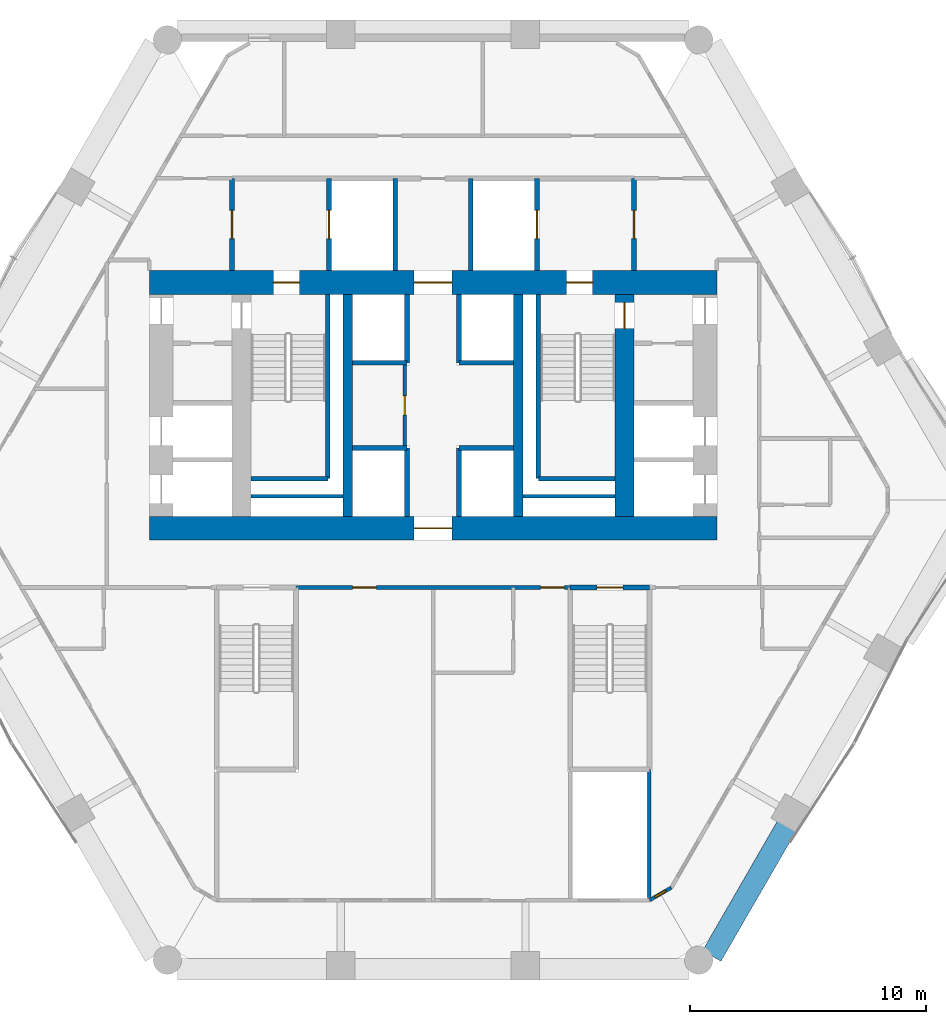
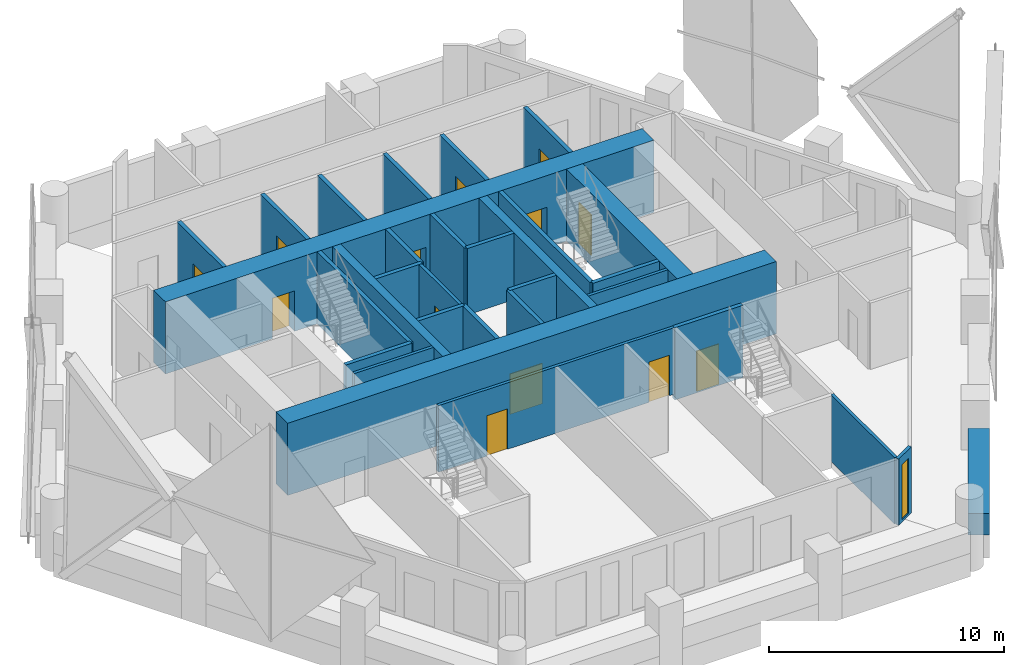
# One storey, part 11 of 16: 31 walls, 13 doors, 1 window, 14 openings.
"""IFC4 building model written with IfcOpenShell, lengths in metres."""

from ifc_helpers import new_model, si_unit, direction, frame, frame_2d, origin, place, context, subcontext, project, spatial, rectangle, extrude, material, layer, layer_set, type_object, element, fill, save


model = new_model("IFC4")

# Units and contexts
model_context = context("Model", 3, precision=1e-05, world=origin(), true_north=direction((0.0, 1.0)))
body_context = subcontext(model_context, "Body", "Model", "MODEL_VIEW")
ifc_project = project(units=[si_unit("LENGTHUNIT", "METRE"), si_unit("AREAUNIT", "SQUARE_METRE"), si_unit("VOLUMEUNIT", "CUBIC_METRE"), si_unit("PLANEANGLEUNIT", "RADIAN"), si_unit("MASSUNIT", "GRAM", prefix="KILO")], contexts=[model_context])

# Site, building, storey
site_placement = place(None, origin())
site = spatial("IfcSite", under=ifc_project, at=site_placement, CompositionType="ELEMENT")
building_placement = place(site_placement, origin())
building = spatial("IfcBuilding", under=site, at=building_placement, Name="Ostrander Bayou Hotel Tower", CompositionType="ELEMENT")
storey_placement = place(building_placement, frame((0.0, 0.0, 85.5)))
storey = spatial("IfcBuildingStorey", under=building, at=storey_placement, Name="L21", CompositionType="ELEMENT", Elevation=85.5)

# Wall, opening, door
ifc_material_1 = material(Name="Concrete f'c 70 MPa", Category="concrete")
ifc_layer_1 = layer(ifc_material_1, 1.0)
ifc_layer_set_1 = layer_set([ifc_layer_1], Name="CW4 core wall 1000 mm f'c 70 MPa")
wall_type_1 = type_object("IfcWallType", Name="CW4 core wall 1000 mm f'c 70 MPa", PredefinedType="SHEAR", material=ifc_layer_set_1)
wall_1_placement = place(storey_placement, frame((-12.0, -1.199951171875, -0.300048828125), z_axis=(0.0, 0.0, 1.0), x_axis=(1.0, 0.0, 0.0)))
wall_1 = element("IfcWall", 1, at=wall_1_placement, inside=storey, type_object=wall_type_1, Name="CW4 L21 S", PredefinedType="SHEAR", context=body_context, shape_type="SweptSolid", body=[
    extrude(rectangle(XDim=24.0, YDim=1.0, at=frame_2d((12.0, 0.0))), origin(), (0.0, 0.0, 1.0), 3.75),
])
opening_1_placement = place(wall_1_placement, frame((11.199951171875, 0.0, 0.0)))
opening_1 = element("IfcOpeningElement", 2, at=opening_1_placement, cuts=wall_1, Name="Opening T21-001", PredefinedType="OPENING", context=body_context, shape_type="SweptSolid", body=[
    extrude(rectangle(XDim=1.60009765625, YDim=2.10009765625, at=frame_2d((0.800048828125, 1.050048828125))), frame((0.0, 0.5, 0.0), z_axis=(0.0, -1.0, 0.0), x_axis=(1.0, 0.0, 0.0)), (0.0, 0.0, 1.0), 1.0),
])
ifc_material_2 = material(Name="Timber door leaf", Category="wood")
door_type_1 = type_object("IfcDoorType", Name="D13 double door 1600 x 2100 mm, 1 hour", OperationType="SINGLE_SWING_LEFT", PredefinedType="DOOR", material=ifc_material_2)
door_1_placement = place(opening_1_placement, origin())
door_1 = element("IfcDoor", 3, at=door_1_placement, inside=storey, type_object=door_type_1, Name="dr:L21:001", OperationType="DOUBLE_DOOR_SINGLE_SWING", OverallHeight=2.10009765625, OverallWidth=1.60009765625, PredefinedType="DOOR", context=body_context, shape_type="SweptSolid", body=[
    extrude(rectangle(XDim=1.60009765625, YDim=2.10009765625, at=frame_2d((0.800048828125, 1.050048828125))), frame((0.0, 0.02490234375, 0.0), z_axis=(0.0, -1.0, 0.0), x_axis=(1.0, 0.0, 0.0)), (0.0, 0.0, 1.0), 0.050048828125),
])
fill(opening_1, door_1)

# Wall, openings, doors
wall_2_placement = place(storey_placement, frame((-12.0, 9.199951171875, -0.300048828125), z_axis=(0.0, 0.0, 1.0), x_axis=(1.0, 0.0, 0.0)))
wall_2 = element("IfcWall", 4, at=wall_2_placement, inside=storey, type_object=wall_type_1, Name="CW4 L21 N", PredefinedType="SHEAR", context=body_context, shape_type="SweptSolid", body=[
    extrude(rectangle(XDim=24.0, YDim=1.0, at=frame_2d((12.0, 0.0))), origin(), (0.0, 0.0, 1.0), 3.75),
])
opening_2_placement = place(wall_2_placement, frame((11.199951171875, 0.0, 0.0)))
opening_2 = element("IfcOpeningElement", 5, at=opening_2_placement, cuts=wall_2, Name="Opening T21-002", PredefinedType="OPENING", context=body_context, shape_type="SweptSolid", body=[
    extrude(rectangle(XDim=1.60009765625, YDim=2.10009765625, at=frame_2d((0.800048828125, 1.050048828125))), frame((0.0, 0.5, 0.0), z_axis=(0.0, -1.0, 0.0), x_axis=(1.0, 0.0, 0.0)), (0.0, 0.0, 1.0), 1.0),
])
opening_3_placement = place(wall_2_placement, frame((5.25, 0.0, 0.0)))
opening_3 = element("IfcOpeningElement", 6, at=opening_3_placement, cuts=wall_2, Name="Opening T21-003", PredefinedType="OPENING", context=body_context, shape_type="SweptSolid", body=[
    extrude(rectangle(XDim=1.10009765625, YDim=2.10009765625, at=frame_2d((0.550048828125, 1.050048828125))), frame((0.0, 0.5, 0.0), z_axis=(0.0, -1.0, 0.0), x_axis=(1.0, 0.0, 0.0)), (0.0, 0.0, 1.0), 1.0),
])
opening_4_placement = place(wall_2_placement, frame((17.64990234375, 0.0, 0.0)))
opening_4 = element("IfcOpeningElement", 7, at=opening_4_placement, cuts=wall_2, Name="Opening T21-005", PredefinedType="OPENING", context=body_context, shape_type="SweptSolid", body=[
    extrude(rectangle(XDim=1.10009765625, YDim=2.10009765625, at=frame_2d((0.550048828125, 1.050048828125))), frame((0.0, 0.5, 0.0), z_axis=(0.0, -1.0, 0.0), x_axis=(1.0, 0.0, 0.0)), (0.0, 0.0, 1.0), 1.0),
])
door_2_placement = place(opening_2_placement, origin())
door_2 = element("IfcDoor", 8, at=door_2_placement, inside=storey, type_object=door_type_1, Name="dr:L21:002", OperationType="DOUBLE_DOOR_SINGLE_SWING", OverallHeight=2.10009765625, OverallWidth=1.60009765625, PredefinedType="DOOR", context=body_context, shape_type="SweptSolid", body=[
    extrude(rectangle(XDim=1.60009765625, YDim=2.10009765625, at=frame_2d((0.800048828125, 1.050048828125))), frame((0.0, 0.02490234375, 0.0), z_axis=(0.0, -1.0, 0.0), x_axis=(1.0, 0.0, 0.0)), (0.0, 0.0, 1.0), 0.050048828125),
])
fill(opening_2, door_2)
ifc_material_3 = material(Name="Timber door leaf", Category="wood")
door_type_2 = type_object("IfcDoorType", Name="D5 stair door 1100 x 2100 mm, 90 minute", OperationType="SINGLE_SWING_LEFT", PredefinedType="DOOR", material=ifc_material_3)
door_3_placement = place(opening_3_placement, origin())
door_3 = element("IfcDoor", 9, at=door_3_placement, inside=storey, type_object=door_type_2, Name="dr:L21:003", OperationType="SINGLE_SWING_LEFT", OverallHeight=2.10009765625, OverallWidth=1.10009765625, PredefinedType="DOOR", context=body_context, shape_type="SweptSolid", body=[
    extrude(rectangle(XDim=1.10009765625, YDim=2.10009765625, at=frame_2d((0.550048828125, 1.050048828125))), frame((0.0, 0.02490234375, 0.0), z_axis=(0.0, -1.0, 0.0), x_axis=(1.0, 0.0, 0.0)), (0.0, 0.0, 1.0), 0.050048828125),
])
fill(opening_3, door_3)
door_4_placement = place(opening_4_placement, origin())
door_4 = element("IfcDoor", 10, at=door_4_placement, inside=storey, type_object=door_type_2, Name="dr:L21:005", OperationType="SINGLE_SWING_RIGHT", OverallHeight=2.10009765625, OverallWidth=1.10009765625, PredefinedType="DOOR", context=body_context, shape_type="SweptSolid", body=[
    extrude(rectangle(XDim=1.10009765625, YDim=2.10009765625, at=frame_2d((0.550048828125, 1.050048828125))), frame((0.0, 0.02490234375, 0.0), z_axis=(0.0, -1.0, 0.0), x_axis=(1.0, 0.0, 0.0)), (0.0, 0.0, 1.0), 0.050048828125),
])
fill(opening_4, door_4)

# Wall, opening, door
ifc_material_4 = material(Name="Concrete f'c 70 MPa", Category="concrete")
ifc_layer_2 = layer(ifc_material_4, 0.800048828125)
ifc_layer_set_2 = layer_set([ifc_layer_2], Name="CW5 core spine wall 800 mm f'c 70 MPa")
wall_type_2 = type_object("IfcWallType", Name="CW5 core spine wall 800 mm f'c 70 MPa", PredefinedType="SHEAR", material=ifc_layer_set_2)
wall_3_placement = place(storey_placement, frame((8.10009765625, -0.699951171875, -0.300048828125), z_axis=(0.0, 0.0, 1.0), x_axis=(0.0, 1.0, 0.0)))
wall_3 = element("IfcWall", 11, at=wall_3_placement, inside=storey, type_object=wall_type_2, Name="CW5 L21 E", PredefinedType="SHEAR", context=body_context, shape_type="SweptSolid", body=[
    extrude(rectangle(XDim=9.39990234375, YDim=0.800048828125, at=frame_2d((4.699951171875, 0.0))), origin(), (0.0, 0.0, 1.0), 3.75),
])
opening_5_placement = place(wall_3_placement, frame((7.949951171875, 0.0, 0.0)))
opening_5 = element("IfcOpeningElement", 12, at=opening_5_placement, cuts=wall_3, Name="Opening T21-006", PredefinedType="OPENING", context=body_context, shape_type="SweptSolid", body=[
    extrude(rectangle(XDim=1.10009765625, YDim=2.10009765625, at=frame_2d((0.550048828125, 1.050048828125))), frame((0.0, 0.39990234375, 0.0), z_axis=(0.0, -1.0, 0.0), x_axis=(1.0, 0.0, 0.0)), (0.0, 0.0, 1.0), 0.800048828125),
])
door_5_placement = place(opening_5_placement, origin())
door_5 = element("IfcDoor", 13, at=door_5_placement, inside=storey, type_object=door_type_2, Name="dr:L21:006", OperationType="SINGLE_SWING_LEFT", OverallHeight=2.10009765625, OverallWidth=1.10009765625, PredefinedType="DOOR", context=body_context, shape_type="SweptSolid", body=[
    extrude(rectangle(XDim=1.10009765625, YDim=2.10009765625, at=frame_2d((0.550048828125, 1.050048828125))), frame((0.0, 0.02490234375, 0.0), z_axis=(0.0, -1.0, 0.0), x_axis=(1.0, 0.0, 0.0)), (0.0, 0.0, 1.0), 0.050048828125),
])
fill(opening_5, door_5)

# Walls
ifc_material_5 = material(Name="Concrete f'c 70 MPa", Category="concrete")
ifc_layer_3 = layer(ifc_material_5, 0.39990234375)
ifc_layer_set_3 = layer_set([ifc_layer_3], Name="CW6 core bank wall 400 mm f'c 70 MPa")
wall_type_3 = type_object("IfcWallType", Name="CW6 core bank wall 400 mm f'c 70 MPa", PredefinedType="SHEAR", material=ifc_layer_set_3)
for number, where, z_axis, x_axis, name in (
    (14, (-3.60009765625, -0.699951171875, -0.300048828125), (0.0, 0.0, 1.0), (0.0, 1.0, 0.0), "CW6 L21 CW"),
    (15, (3.60009765625, -0.699951171875, -0.300048828125), (0.0, 0.0, 1.0), (0.0, 1.0, 0.0), "CW6 L21 CE"),
):
    element("IfcWall", number, at=place(storey_placement, frame(where, z_axis=z_axis, x_axis=x_axis)), inside=storey, type_object=wall_type_3, Name=name, PredefinedType="SHEAR", context=body_context, shape_type="SweptSolid", body=[
        extrude(rectangle(XDim=9.39990234375, YDim=0.39990234375, at=frame_2d((4.699951171875, 0.0))), origin(), (0.0, 0.0, 1.0), 3.75),
    ])

# Wall, opening, window
ifc_material_6 = material(Name="Aluminium framed insulated wall", Category="aluminium")
ifc_layer_4 = layer(ifc_material_6, 0.14990234375)
ifc_layer_set_4 = layer_set([ifc_layer_4], Name="GW1 glass-line wall 150 mm")
wall_type_4 = type_object("IfcWallType", Name="GW1 glass-line wall 150 mm", PredefinedType="SOLIDWALL", material=ifc_layer_set_4)
wall_4_placement = place(storey_placement, frame((9.15673828125, -16.925048828125, 0.0), z_axis=(0.0, 0.0, 1.0), x_axis=(0.866048165231, 0.499960573946, 0.0)))
wall_4 = element("IfcWall", 16, at=wall_4_placement, inside=storey, type_object=wall_type_4, Name="GW1 L21 corner 4", PredefinedType="SOLIDWALL", context=body_context, shape_type="SweptSolid", body=[
    extrude(rectangle(XDim=1.06494140625, YDim=0.14990234375, at=frame_2d((0.532470703125, 0.0))), origin(), (0.0, 0.0, 1.0), 3.449951171875),
])
opening_6_placement = place(wall_4_placement, frame((0.257568359375, 0.0, 0.14990234375)))
opening_6 = element("IfcOpeningElement", 17, at=opening_6_placement, cuts=wall_4, Name="Opening W19", PredefinedType="OPENING", context=body_context, shape_type="SweptSolid", body=[
    extrude(rectangle(XDim=0.550048828125, YDim=2.85009765625, at=frame_2d((0.27490234375, 1.425048828125))), frame((0.0, 0.074951171875, 0.0), z_axis=(0.0, -1.0, 0.0), x_axis=(1.0, 0.0, 0.0)), (0.0, 0.0, 1.0), 0.14990234375),
])
ifc_material_7 = material(Name="Aluminium and clear glass", Category="aluminium")
window_type = type_object("IfcWindowType", Name="W19 corner window 550 mm", PartitioningType="SINGLE_PANEL", PredefinedType="WINDOW", material=ifc_material_7)
window_placement = place(opening_6_placement, origin())
window = element("IfcWindow", 18, at=window_placement, inside=storey, type_object=window_type, Name="W19 L21 corner 4", OverallHeight=2.85009765625, OverallWidth=0.550048828125, PartitioningType="SINGLE_PANEL", PredefinedType="WINDOW", context=body_context, shape_type="SweptSolid", body=[
    extrude(rectangle(XDim=0.550048828125, YDim=2.85009765625, at=frame_2d((0.27490234375, 1.425048828125))), frame((0.0, 0.030029296875, 0.0), z_axis=(0.0, -1.0, 0.0), x_axis=(1.0, 0.0, 0.0)), (0.0, 0.0, 1.0), 0.06005859375),
])
fill(opening_6, window)

# Wall
ifc_material_8 = material(Name="Limestone masonry", Category="masonry")
ifc_layer_5 = layer(ifc_material_8, 0.89990234375)
ifc_layer_set_5 = layer_set([ifc_layer_5], Name="PA2 limestone parapet 900 mm")
wall_type_5 = type_object("IfcWallType", Name="PA2 limestone parapet 900 mm", PredefinedType="PARAPET", material=ifc_layer_set_5)
wall_5_placement = place(storey_placement, frame((11.785888671875, -19.286376953125, 0.0), z_axis=(0.0, 0.0, 1.0), x_axis=(0.499982754166, 0.866035360443, 0.0)))
element("IfcWall", 19, at=wall_5_placement, inside=storey, type_object=wall_type_5, Name="PA2 L21 SE-1", PredefinedType="PARAPET", context=body_context, shape_type="SweptSolid", body=[
    extrude(rectangle(XDim=6.332763671875, YDim=0.89990234375, at=frame_2d((3.16650390625, 0.0))), origin(), (0.0, 0.0, 1.0), 1.10009765625),
])

# Wall, opening, door
ifc_material_9 = material(Name="Masonry block", Category="masonry")
ifc_layer_6 = layer(ifc_material_9, 0.199951171875)
ifc_layer_set_6 = layer_set([ifc_layer_6], Name="PT5 stair enclosure wall 200 mm masonry, 2 hour")
wall_type_6 = type_object("IfcWallType", Name="PT5 stair enclosure wall 200 mm masonry, 2 hour", PredefinedType="PARTITIONING", material=ifc_layer_set_6)
wall_6_placement = place(storey_placement, frame((-8.5, 9.699951171875, 0.0), z_axis=(0.0, 0.0, 1.0), x_axis=(0.0, 1.0, 0.0)))
wall_6 = element("IfcWall", 20, at=wall_6_placement, inside=storey, type_object=wall_type_6, Name="cs:L21:026", PredefinedType="PARTITIONING", context=body_context, shape_type="SweptSolid", body=[
    extrude(rectangle(XDim=3.900146484375, YDim=0.199951171875, at=frame_2d((1.9501953125, 0.0))), origin(), (0.0, 0.0, 1.0), 3.449951171875),
])
opening_7_placement = place(wall_6_placement, frame((1.35009765625, 0.0, 0.0)))
opening_7 = element("IfcOpeningElement", 21, at=opening_7_placement, cuts=wall_6, Name="Opening T21-010", PredefinedType="OPENING", context=body_context, shape_type="SweptSolid", body=[
    extrude(rectangle(XDim=1.199951171875, YDim=2.10009765625, at=frame_2d((0.60009765625, 1.050048828125))), frame((0.0, 0.10009765625, 0.0), z_axis=(0.0, -1.0, 0.0), x_axis=(1.0, 0.0, 0.0)), (0.0, 0.0, 1.0), 0.199951171875),
])
ifc_material_10 = material(Name="Timber door leaf", Category="wood")
door_type_3 = type_object("IfcDoorType", Name="D7 lobby door 1200 x 2100 mm, 1 hour", OperationType="SINGLE_SWING_LEFT", PredefinedType="DOOR", material=ifc_material_10)
door_6_placement = place(opening_7_placement, origin())
door_6 = element("IfcDoor", 22, at=door_6_placement, inside=storey, type_object=door_type_3, Name="dr:L21:010", OperationType="SINGLE_SWING_LEFT", OverallHeight=2.10009765625, OverallWidth=1.199951171875, PredefinedType="DOOR", context=body_context, shape_type="SweptSolid", body=[
    extrude(rectangle(XDim=1.199951171875, YDim=2.10009765625, at=frame_2d((0.60009765625, 1.050048828125))), frame((0.0, 0.02490234375, 0.0), z_axis=(0.0, -1.0, 0.0), x_axis=(1.0, 0.0, 0.0)), (0.0, 0.0, 1.0), 0.050048828125),
])
fill(opening_7, door_6)

wall_7_placement = place(storey_placement, frame((8.5, 9.699951171875, 0.0), z_axis=(0.0, 0.0, 1.0), x_axis=(0.0, 1.0, 0.0)))
wall_7 = element("IfcWall", 23, at=wall_7_placement, inside=storey, type_object=wall_type_6, Name="cs:L21:027", PredefinedType="PARTITIONING", context=body_context, shape_type="SweptSolid", body=[
    extrude(rectangle(XDim=3.900146484375, YDim=0.199951171875, at=frame_2d((1.9501953125, 0.0))), origin(), (0.0, 0.0, 1.0), 3.449951171875),
])
opening_8_placement = place(wall_7_placement, frame((1.35009765625, 0.0, 0.0)))
opening_8 = element("IfcOpeningElement", 24, at=opening_8_placement, cuts=wall_7, Name="Opening T21-012", PredefinedType="OPENING", context=body_context, shape_type="SweptSolid", body=[
    extrude(rectangle(XDim=1.199951171875, YDim=2.10009765625, at=frame_2d((0.60009765625, 1.050048828125))), frame((0.0, 0.10009765625, 0.0), z_axis=(0.0, -1.0, 0.0), x_axis=(1.0, 0.0, 0.0)), (0.0, 0.0, 1.0), 0.199951171875),
])
door_7_placement = place(opening_8_placement, origin())
door_7 = element("IfcDoor", 25, at=door_7_placement, inside=storey, type_object=door_type_3, Name="dr:L21:012", OperationType="SINGLE_SWING_LEFT", OverallHeight=2.10009765625, OverallWidth=1.199951171875, PredefinedType="DOOR", context=body_context, shape_type="SweptSolid", body=[
    extrude(rectangle(XDim=1.199951171875, YDim=2.10009765625, at=frame_2d((0.60009765625, 1.050048828125))), frame((0.0, 0.02490234375, 0.0), z_axis=(0.0, -1.0, 0.0), x_axis=(1.0, 0.0, 0.0)), (0.0, 0.0, 1.0), 0.050048828125),
])
fill(opening_8, door_7)

wall_8_placement = place(storey_placement, frame((-4.39990234375, 9.699951171875, 0.0), z_axis=(0.0, 0.0, 1.0), x_axis=(0.0, 1.0, 0.0)))
wall_8 = element("IfcWall", 26, at=wall_8_placement, inside=storey, type_object=wall_type_6, Name="cs:L21:028", PredefinedType="PARTITIONING", context=body_context, shape_type="SweptSolid", body=[
    extrude(rectangle(XDim=3.900146484375, YDim=0.199951171875, at=frame_2d((1.9501953125, 0.0))), origin(), (0.0, 0.0, 1.0), 3.449951171875),
])
opening_9_placement = place(wall_8_placement, frame((1.35009765625, 0.0, 0.0)))
opening_9 = element("IfcOpeningElement", 27, at=opening_9_placement, cuts=wall_8, Name="Opening T21-009", PredefinedType="OPENING", context=body_context, shape_type="SweptSolid", body=[
    extrude(rectangle(XDim=1.199951171875, YDim=2.10009765625, at=frame_2d((0.60009765625, 1.050048828125))), frame((0.0, 0.10009765625, 0.0), z_axis=(0.0, -1.0, 0.0), x_axis=(1.0, 0.0, 0.0)), (0.0, 0.0, 1.0), 0.199951171875),
])
ifc_material_11 = material(Name="Stainless steel sliding door", Category="steel")
door_type_4 = type_object("IfcDoorType", Name="LD1 lift landing door 1200 x 2100 mm", OperationType="SINGLE_SWING_LEFT", PredefinedType="DOOR", material=ifc_material_11)
door_8_placement = place(opening_9_placement, origin())
door_8 = element("IfcDoor", 28, at=door_8_placement, inside=storey, type_object=door_type_4, Name="dr:L21:009", OperationType="SLIDING_TO_LEFT", OverallHeight=2.10009765625, OverallWidth=1.199951171875, PredefinedType="DOOR", context=body_context, shape_type="SweptSolid", body=[
    extrude(rectangle(XDim=1.199951171875, YDim=2.10009765625, at=frame_2d((0.60009765625, 1.050048828125))), frame((0.0, 0.02490234375, 0.0), z_axis=(0.0, -1.0, 0.0), x_axis=(1.0, 0.0, 0.0)), (0.0, 0.0, 1.0), 0.050048828125),
])
fill(opening_9, door_8)

wall_9_placement = place(storey_placement, frame((4.39990234375, 9.699951171875, 0.0), z_axis=(0.0, 0.0, 1.0), x_axis=(0.0, 1.0, 0.0)))
wall_9 = element("IfcWall", 29, at=wall_9_placement, inside=storey, type_object=wall_type_6, Name="cs:L21:029", PredefinedType="PARTITIONING", context=body_context, shape_type="SweptSolid", body=[
    extrude(rectangle(XDim=3.900146484375, YDim=0.199951171875, at=frame_2d((1.9501953125, 0.0))), origin(), (0.0, 0.0, 1.0), 3.449951171875),
])
opening_10_placement = place(wall_9_placement, frame((1.35009765625, 0.0, 0.0)))
opening_10 = element("IfcOpeningElement", 30, at=opening_10_placement, cuts=wall_9, Name="Opening T21-011", PredefinedType="OPENING", context=body_context, shape_type="SweptSolid", body=[
    extrude(rectangle(XDim=1.199951171875, YDim=2.10009765625, at=frame_2d((0.60009765625, 1.050048828125))), frame((0.0, 0.10009765625, 0.0), z_axis=(0.0, -1.0, 0.0), x_axis=(1.0, 0.0, 0.0)), (0.0, 0.0, 1.0), 0.199951171875),
])
door_9_placement = place(opening_10_placement, origin())
door_9 = element("IfcDoor", 31, at=door_9_placement, inside=storey, type_object=door_type_4, Name="dr:L21:011", OperationType="SLIDING_TO_LEFT", OverallHeight=2.10009765625, OverallWidth=1.199951171875, PredefinedType="DOOR", context=body_context, shape_type="SweptSolid", body=[
    extrude(rectangle(XDim=1.199951171875, YDim=2.10009765625, at=frame_2d((0.60009765625, 1.050048828125))), frame((0.0, 0.02490234375, 0.0), z_axis=(0.0, -1.0, 0.0), x_axis=(1.0, 0.0, 0.0)), (0.0, 0.0, 1.0), 0.050048828125),
])
fill(opening_10, door_9)

# Walls
ifc_material_12 = material(Name="Masonry block", Category="masonry")
ifc_layer_7 = layer(ifc_material_12, 0.199951171875)
ifc_layer_set_7 = layer_set([ifc_layer_7], Name="PT6 lift shaft wall 200 mm masonry, 2 hour")
wall_type_7 = type_object("IfcWallType", Name="PT6 lift shaft wall 200 mm masonry, 2 hour", PredefinedType="PARTITIONING", material=ifc_layer_set_7)
for number, where, z_axis, x_axis, name in (
    (32, (-3.39990234375, 2.199951171875, 0.0), (0.0, 0.0, 1.0), (1.0, 0.0, 0.0), "cs:L21:001"),
    (33, (-3.39990234375, 5.800048828125, 0.0), (0.0, 0.0, 1.0), (1.0, 0.0, 0.0), "cs:L21:002"),
    (34, (1.10009765625, 2.199951171875, 0.0), (0.0, 0.0, 1.0), (1.0, 0.0, 0.0), "cs:L21:003"),
    (35, (1.10009765625, 5.800048828125, 0.0), (0.0, 0.0, 1.0), (1.0, 0.0, 0.0), "cs:L21:004"),
):
    element("IfcWall", number, at=place(storey_placement, frame(where, z_axis=z_axis, x_axis=x_axis)), inside=storey, type_object=wall_type_7, Name=name, PredefinedType="PARTITIONING", context=body_context, shape_type="SweptSolid", body=[
        extrude(rectangle(XDim=2.2998046875, YDim=0.199951171875, at=frame_2d((1.14990234375, 0.0))), origin(), (0.0, 0.0, 1.0), 3.449951171875),
    ])
for number, where, z_axis, x_axis, name in (
    (36, (-1.10009765625, -0.699951171875, 0.0), (0.0, 0.0, 1.0), (0.0, 1.0, 0.0), "cs:L21:005"),
    (37, (1.10009765625, -0.699951171875, 0.0), (0.0, 0.0, 1.0), (0.0, 1.0, 0.0), "cs:L21:006"),
    (38, (-1.10009765625, 5.800048828125, 0.0), (0.0, 0.0, 1.0), (0.0, 1.0, 0.0), "cs:L21:007"),
    (39, (1.10009765625, 5.800048828125, 0.0), (0.0, 0.0, 1.0), (0.0, 1.0, 0.0), "cs:L21:008"),
):
    element("IfcWall", number, at=place(storey_placement, frame(where, z_axis=z_axis, x_axis=x_axis)), inside=storey, type_object=wall_type_7, Name=name, PredefinedType="PARTITIONING", context=body_context, shape_type="SweptSolid", body=[
        extrude(rectangle(XDim=2.89990234375, YDim=0.199951171875, at=frame_2d((1.449951171875, 0.0))), origin(), (0.0, 0.0, 1.0), 3.449951171875),
    ])
for number, where, z_axis, x_axis, name in (
    (40, (-1.60009765625, 9.699951171875, 0.0), (0.0, 0.0, 1.0), (0.0, 1.0, 0.0), "cs:L21:030"),
    (41, (1.60009765625, 9.699951171875, 0.0), (0.0, 0.0, 1.0), (0.0, 1.0, 0.0), "cs:L21:031"),
):
    element("IfcWall", number, at=place(storey_placement, frame(where, z_axis=z_axis, x_axis=x_axis)), inside=storey, type_object=wall_type_7, Name=name, PredefinedType="PARTITIONING", context=body_context, shape_type="SweptSolid", body=[
        extrude(rectangle(XDim=3.900146484375, YDim=0.199951171875, at=frame_2d((1.9501953125, 0.0))), origin(), (0.0, 0.0, 1.0), 3.449951171875),
    ])
ifc_material_13 = material(Name="Gypsum board partition", Category="finish")
ifc_layer_8 = layer(ifc_material_13, 0.14990234375)
ifc_layer_set_8 = layer_set([ifc_layer_8], Name="PT7 riser wall 150 mm, 2 hour")
wall_type_8 = type_object("IfcWallType", Name="PT7 riser wall 150 mm, 2 hour", PredefinedType="PARTITIONING", material=ifc_layer_set_8)
for number, where, z_axis, x_axis, name in (
    (42, (-7.699951171875, 0.14990234375, 0.0), (0.0, 0.0, 1.0), (1.0, 0.0, 0.0), "cs:L21:011"),
    (43, (3.800048828125, 0.14990234375, 0.0), (0.0, 0.0, 1.0), (1.0, 0.0, 0.0), "cs:L21:014"),
):
    element("IfcWall", number, at=place(storey_placement, frame(where, z_axis=z_axis, x_axis=x_axis)), inside=storey, type_object=wall_type_8, Name=name, PredefinedType="PARTITIONING", context=body_context, shape_type="SweptSolid", body=[
        extrude(rectangle(XDim=3.89990234375, YDim=0.14990234375, at=frame_2d((1.949951171875, 0.0))), origin(), (0.0, 0.0, 1.0), 3.449951171875),
    ])
wall_10_placement = place(storey_placement, frame((9.14990234375, -11.39990234375, 0.0), z_axis=(0.0, 0.0, 1.0), x_axis=(0.0, -1.0, 0.0)))
element("IfcWall", 44, at=wall_10_placement, inside=storey, type_object=wall_type_8, Name="cs:L21:020", PredefinedType="PARTITIONING", context=body_context, shape_type="SweptSolid", body=[
    extrude(rectangle(XDim=5.410888671875, YDim=0.14990234375, at=frame_2d((2.70556640625, 0.0))), origin(), (0.0, 0.0, 1.0), 3.449951171875),
])

# Wall, opening, door
wall_11_placement = place(storey_placement, frame((-1.199951171875, 2.300048828125, 0.0), z_axis=(0.0, 0.0, 1.0), x_axis=(0.0, 1.0, 0.0)))
wall_11 = element("IfcWall", 45, at=wall_11_placement, inside=storey, type_object=wall_type_8, Name="cs:L21:032", PredefinedType="PARTITIONING", context=body_context, shape_type="SweptSolid", body=[
    extrude(rectangle(XDim=3.39990234375, YDim=0.14990234375, at=frame_2d((1.699951171875, 0.0))), origin(), (0.0, 0.0, 1.0), 3.449951171875),
])
opening_11_placement = place(wall_11_placement, frame((1.300048828125, 0.0, 0.0)))
opening_11 = element("IfcOpeningElement", 46, at=opening_11_placement, cuts=wall_11, Name="Opening T21-014", PredefinedType="OPENING", context=body_context, shape_type="SweptSolid", body=[
    extrude(rectangle(XDim=0.800048828125, YDim=2.10009765625, at=frame_2d((0.39990234375, 1.050048828125))), frame((0.0, 0.074951171875, 0.0), z_axis=(0.0, -1.0, 0.0), x_axis=(1.0, 0.0, 0.0)), (0.0, 0.0, 1.0), 0.14990234375),
])
ifc_material_14 = material(Name="Timber door leaf", Category="wood")
door_type_5 = type_object("IfcDoorType", Name="D6 riser door 800 x 2100 mm, 90 minute", OperationType="SINGLE_SWING_LEFT", PredefinedType="DOOR", material=ifc_material_14)
door_10_placement = place(opening_11_placement, origin())
door_10 = element("IfcDoor", 47, at=door_10_placement, inside=storey, type_object=door_type_5, Name="dr:L21:014", OperationType="SINGLE_SWING_LEFT", OverallHeight=2.10009765625, OverallWidth=0.800048828125, PredefinedType="DOOR", context=body_context, shape_type="SweptSolid", body=[
    extrude(rectangle(XDim=0.800048828125, YDim=2.10009765625, at=frame_2d((0.39990234375, 1.050048828125))), frame((0.0, 0.02490234375, 0.0), z_axis=(0.0, -1.0, 0.0), x_axis=(1.0, 0.0, 0.0)), (0.0, 0.0, 1.0), 0.050048828125),
])
fill(opening_11, door_10)

# Wall, openings, doors
ifc_material_15 = material(Name="Gypsum board partition", Category="finish")
ifc_layer_9 = layer(ifc_material_15, 0.14990234375)
ifc_layer_set_9 = layer_set([ifc_layer_9], Name="PT8 service band wall 150 mm, 1 hour")
wall_type_9 = type_object("IfcWallType", Name="PT8 service band wall 150 mm, 1 hour", PredefinedType="PARTITIONING", material=ifc_layer_set_9)
wall_12_placement = place(storey_placement, frame((-5.7900390625, -3.699951171875, 0.0), z_axis=(0.0, 0.0, 1.0), x_axis=(1.0, 0.0, 0.0)))
wall_12 = element("IfcWall", 48, at=wall_12_placement, inside=storey, type_object=wall_type_9, Name="gw:L21:005", PredefinedType="PARTITIONING", context=body_context, shape_type="SweptSolid", body=[
    extrude(rectangle(XDim=11.580078125, YDim=0.14990234375, at=frame_2d((5.7900390625, 0.0))), origin(), (0.0, 0.0, 1.0), 3.449951171875),
])
opening_12_placement = place(wall_12_placement, frame((2.389892578125, 0.0, 0.0)))
opening_12 = element("IfcOpeningElement", 49, at=opening_12_placement, cuts=wall_12, Name="Opening T21-400", PredefinedType="OPENING", context=body_context, shape_type="SweptSolid", body=[
    extrude(rectangle(XDim=1.0, YDim=2.10009765625, at=frame_2d((0.5, 1.050048828125))), frame((0.0, 0.074951171875, 0.0), z_axis=(0.0, -1.0, 0.0), x_axis=(1.0, 0.0, 0.0)), (0.0, 0.0, 1.0), 0.14990234375),
])
opening_13_placement = place(wall_12_placement, frame((10.340087890625, 0.0, 0.0)))
opening_13 = element("IfcOpeningElement", 50, at=opening_13_placement, cuts=wall_12, Name="Opening T21-403", PredefinedType="OPENING", context=body_context, shape_type="SweptSolid", body=[
    extrude(rectangle(XDim=1.0, YDim=2.10009765625, at=frame_2d((0.5, 1.050048828125))), frame((0.0, 0.074951171875, 0.0), z_axis=(0.0, -1.0, 0.0), x_axis=(1.0, 0.0, 0.0)), (0.0, 0.0, 1.0), 0.14990234375),
])
ifc_material_16 = material(Name="Timber door leaf", Category="wood")
door_type_6 = type_object("IfcDoorType", Name="D1 guest room door 1000 x 2100 mm, 30 minute", OperationType="SINGLE_SWING_LEFT", PredefinedType="DOOR", material=ifc_material_16)
door_11_placement = place(opening_13_placement, origin())
door_11 = element("IfcDoor", 51, at=door_11_placement, inside=storey, type_object=door_type_6, Name="dr:L21:403", OperationType="SINGLE_SWING_RIGHT", OverallHeight=2.10009765625, OverallWidth=1.0, PredefinedType="DOOR", context=body_context, shape_type="SweptSolid", body=[
    extrude(rectangle(XDim=1.0, YDim=2.10009765625, at=frame_2d((0.5, 1.050048828125))), frame((0.0, 0.02490234375, 0.0), z_axis=(0.0, -1.0, 0.0), x_axis=(1.0, 0.0, 0.0)), (0.0, 0.0, 1.0), 0.050048828125),
])
fill(opening_13, door_11)
ifc_material_17 = material(Name="Timber door leaf", Category="wood")
door_type_7 = type_object("IfcDoorType", Name="D9 service door 1000 x 2100 mm, 30 minute", OperationType="SINGLE_SWING_LEFT", PredefinedType="DOOR", material=ifc_material_17)
door_12_placement = place(opening_12_placement, origin())
door_12 = element("IfcDoor", 52, at=door_12_placement, inside=storey, type_object=door_type_7, Name="dr:L21:400", OperationType="SINGLE_SWING_RIGHT", OverallHeight=2.10009765625, OverallWidth=1.0, PredefinedType="DOOR", context=body_context, shape_type="SweptSolid", body=[
    extrude(rectangle(XDim=1.0, YDim=2.10009765625, at=frame_2d((0.5, 1.050048828125))), frame((0.0, 0.02490234375, 0.0), z_axis=(0.0, -1.0, 0.0), x_axis=(1.0, 0.0, 0.0)), (0.0, 0.0, 1.0), 0.050048828125),
])
fill(opening_12, door_12)

# Walls
ifc_material_18 = material(Name="Concrete f'c 45 MPa", Category="concrete")
ifc_layer_10 = layer(ifc_material_18, 0.199951171875)
ifc_layer_set_10 = layer_set([ifc_layer_10], Name="SW5 stair enclosure wall 200 mm f'c 45 MPa")
wall_type_10 = type_object("IfcWallType", Name="SW5 stair enclosure wall 200 mm f'c 45 MPa", PredefinedType="SOLIDWALL", material=ifc_layer_set_10)
wall_13_placement = place(storey_placement, frame((-4.449951171875, 0.89990234375, -0.300048828125), z_axis=(0.0, 0.0, 1.0), x_axis=(0.0, 1.0, 0.0)))
element("IfcWall", 53, at=wall_13_placement, inside=storey, type_object=wall_type_10, Name="cs:L21:009", PredefinedType="SOLIDWALL", context=body_context, shape_type="SweptSolid", body=[
    extrude(rectangle(XDim=7.800048828125, YDim=0.199951171875, at=frame_2d((3.89990234375, 0.0))), origin(), (0.0, 0.0, 1.0), 3.75),
])
wall_14_placement = place(storey_placement, frame((-7.699951171875, 0.89990234375, -0.300048828125), z_axis=(0.0, 0.0, 1.0), x_axis=(1.0, 0.0, 0.0)))
element("IfcWall", 54, at=wall_14_placement, inside=storey, type_object=wall_type_10, Name="cs:L21:010", PredefinedType="SOLIDWALL", context=body_context, shape_type="SweptSolid", body=[
    extrude(rectangle(XDim=3.25, YDim=0.199951171875, at=frame_2d((1.625, 0.0))), origin(), (0.0, 0.0, 1.0), 3.75),
])
wall_15_placement = place(storey_placement, frame((4.449951171875, 0.89990234375, -0.300048828125), z_axis=(0.0, 0.0, 1.0), x_axis=(0.0, 1.0, 0.0)))
element("IfcWall", 55, at=wall_15_placement, inside=storey, type_object=wall_type_10, Name="cs:L21:012", PredefinedType="SOLIDWALL", context=body_context, shape_type="SweptSolid", body=[
    extrude(rectangle(XDim=7.800048828125, YDim=0.199951171875, at=frame_2d((3.89990234375, 0.0))), origin(), (0.0, 0.0, 1.0), 3.75),
])
wall_16_placement = place(storey_placement, frame((4.449951171875, 0.89990234375, -0.300048828125), z_axis=(0.0, 0.0, 1.0), x_axis=(1.0, 0.0, 0.0)))
element("IfcWall", 56, at=wall_16_placement, inside=storey, type_object=wall_type_10, Name="cs:L21:013", PredefinedType="SOLIDWALL", context=body_context, shape_type="SweptSolid", body=[
    extrude(rectangle(XDim=3.25, YDim=0.199951171875, at=frame_2d((1.625, 0.0))), origin(), (0.0, 0.0, 1.0), 3.75),
])

# Wall, opening, door
wall_17_placement = place(storey_placement, frame((5.800048828125, -3.699951171875, -0.300048828125), z_axis=(0.0, 0.0, 1.0), x_axis=(1.0, 0.0, 0.0)))
wall_17 = element("IfcWall", 57, at=wall_17_placement, inside=storey, type_object=wall_type_10, Name="cs:L21:015", PredefinedType="SOLIDWALL", context=body_context, shape_type="SweptSolid", body=[
    extrude(rectangle(XDim=3.349853515625, YDim=0.199951171875, at=frame_2d((1.6748046875, 0.0))), origin(), (0.0, 0.0, 1.0), 3.75),
])
opening_14_placement = place(wall_17_placement, frame((1.125, 0.0, 0.0)))
opening_14 = element("IfcOpeningElement", 58, at=opening_14_placement, cuts=wall_17, Name="Opening T21-007", PredefinedType="OPENING", context=body_context, shape_type="SweptSolid", body=[
    extrude(rectangle(XDim=1.10009765625, YDim=2.10009765625, at=frame_2d((0.550048828125, 1.050048828125))), frame((0.0, 0.10009765625, 0.0), z_axis=(0.0, -1.0, 0.0), x_axis=(1.0, 0.0, 0.0)), (0.0, 0.0, 1.0), 0.199951171875),
])
door_13_placement = place(opening_14_placement, origin())
door_13 = element("IfcDoor", 59, at=door_13_placement, inside=storey, type_object=door_type_2, Name="dr:L21:007", OperationType="SINGLE_SWING_LEFT", OverallHeight=2.10009765625, OverallWidth=1.10009765625, PredefinedType="DOOR", context=body_context, shape_type="SweptSolid", body=[
    extrude(rectangle(XDim=1.10009765625, YDim=2.10009765625, at=frame_2d((0.550048828125, 1.050048828125))), frame((0.0, 0.02490234375, 0.0), z_axis=(0.0, -1.0, 0.0), x_axis=(1.0, 0.0, 0.0)), (0.0, 0.0, 1.0), 0.050048828125),
])
fill(opening_14, door_13)

save(model, "model.ifc")
